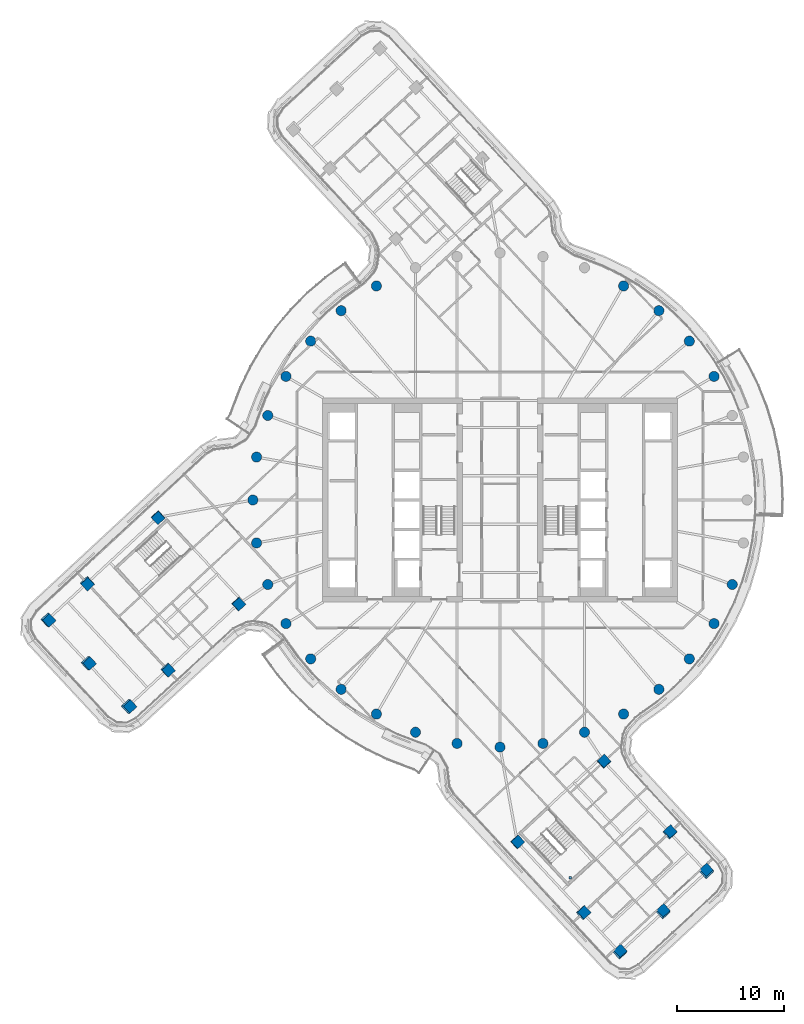
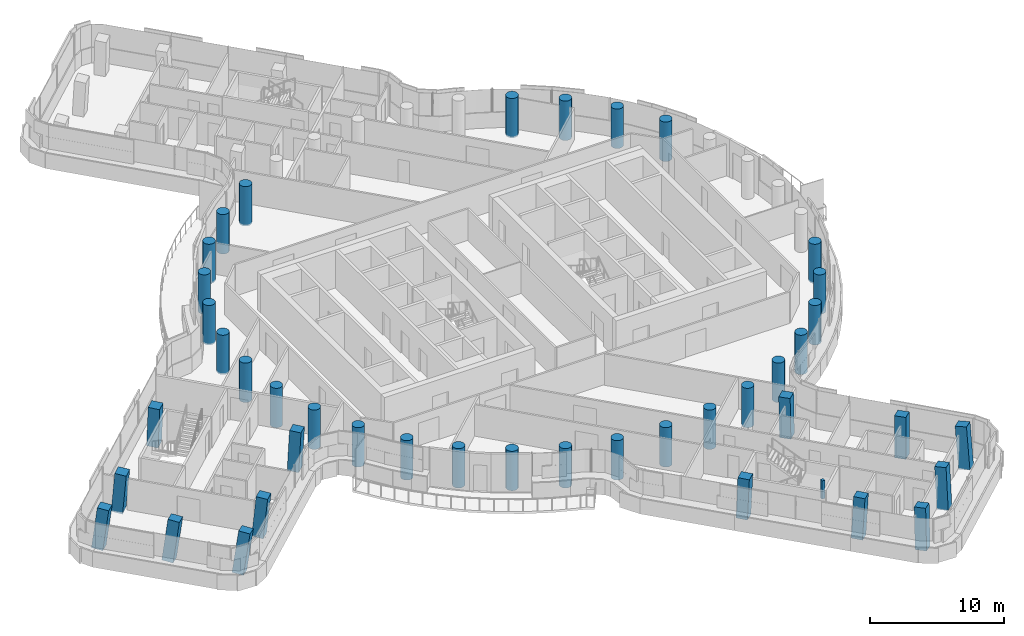
# One storey, part 1 of 34: 42 columns.
"""IFC4 building model written with IfcOpenShell, lengths in metres."""

from ifc_helpers import new_model, si_unit, direction, frame, origin, origin_2d, place, context, subcontext, project, spatial, rectangle, circle, extrude, material, material_profile, profile_set, type_object, element, save


model = new_model("IFC4")

# Units and contexts
model_context = context("Model", 3, precision=1e-05, world=origin(), true_north=direction((0.0, 1.0)))
body_context = subcontext(model_context, "Body", "Model", "MODEL_VIEW")
ifc_project = project(units=[si_unit("LENGTHUNIT", "METRE"), si_unit("AREAUNIT", "SQUARE_METRE"), si_unit("VOLUMEUNIT", "CUBIC_METRE"), si_unit("PLANEANGLEUNIT", "RADIAN"), si_unit("MASSUNIT", "GRAM", prefix="KILO")], contexts=[model_context])

# Site, building, storey
site_placement = place(None, origin())
site = spatial("IfcSite", under=ifc_project, at=site_placement, CompositionType="ELEMENT")
building_placement = place(site_placement, origin())
building = spatial("IfcBuilding", under=site, at=building_placement, Name="Tamarind Cross Interchange Tower", CompositionType="ELEMENT")
storey_placement = place(building_placement, frame((0.0, 0.0, 189.699951171875)))
storey = spatial("IfcBuildingStorey", under=building, at=storey_placement, Name="L47", CompositionType="ELEMENT", Elevation=189.699951171875)

# Columns
ifc_material_1 = material(Name="Concrete C40", Category="concrete")
ifc_material_profile_1 = material_profile(ifc_material_1, rectangle(XDim=0.25, YDim=0.25, at=origin_2d()), Name="RC 250x250")
ifc_profile_set_1 = profile_set([ifc_material_profile_1], Name="Concrete C40")
column_type_1 = type_object("IfcColumnType", Name="Column RC 250x250 Concrete C40", PredefinedType="COLUMN", material=ifc_profile_set_1)
column_1_placement = place(storey_placement, frame((6.532958984375, -35.140869140625, 1.800048828125), z_axis=(0.0, 0.0, 1.0), x_axis=(1.0, 0.0, 0.0)))
element("IfcColumn", 1, at=column_1_placement, inside=storey, type_object=column_type_1, Name="Column ST6 landing L48", PredefinedType="COLUMN", context=body_context, shape_type="SweptSolid", body=[
    extrude(rectangle(XDim=0.25, YDim=0.25, at=origin_2d()), origin(), (0.0, 0.0, 1.0), 1.659912109375),
])
ifc_material_2 = material(Name="Concrete C55", Category="concrete")
ifc_material_profile_2 = material_profile(ifc_material_2, rectangle(XDim=0.89990234375, YDim=0.89990234375, at=origin_2d()), Name="RC 900x900")
ifc_profile_set_2 = profile_set([ifc_material_profile_2], Name="Concrete C55")
column_type_2 = type_object("IfcColumnType", Name="Column RC 900x900 Concrete C55", PredefinedType="COLUMN", material=ifc_profile_set_2)
for number, where, z_axis, x_axis, name in (
    (2, (-30.9462890625, -15.795654296875, -0.138427734375), (0.080093686559, -0.044406373054, 0.995797708074), (-0.676407826987, 0.7313686668, 0.087019106025), "Column L47-050"),
    (3, (-38.425537109375, -7.7294921875, -0.138427734375), (0.039742625495, -0.082526778452, 0.995796090852), (0.733931657358, 0.678688261027, 0.026954900712), "Column L47-051"),
):
    element("IfcColumn", number, at=place(storey_placement, frame(where, z_axis=z_axis, x_axis=x_axis)), inside=storey, type_object=column_type_2, Name=name, PredefinedType="COLUMN", context=body_context, shape_type="SweptSolid", body=[
        extrude(rectangle(XDim=0.89990234375, YDim=0.89990234375, at=origin_2d()), origin(), (0.0, 0.0, 1.0), 3.612060546875),
    ])
for number, where, z_axis, x_axis, name in (
    (4, (-24.3466796875, -9.676513671875, -0.138671875), (0.049004711131, -0.011386986819, 0.99873363557), (-0.679260584893, 0.732712476675, 0.041683142108), "Column L47-052"),
    (5, (-31.825927734375, -1.610107421875, -0.138671875), (0.008607971058, -0.049682226655, 0.998727980578), (0.733402282812, 0.679239723409, 0.027467976067), "Column L47-053"),
):
    element("IfcColumn", number, at=place(storey_placement, frame(where, z_axis=z_axis, x_axis=x_axis)), inside=storey, type_object=column_type_2, Name=name, PredefinedType="COLUMN", context=body_context, shape_type="SweptSolid", body=[
        extrude(rectangle(XDim=0.89990234375, YDim=0.89990234375, at=origin_2d()), origin(), (0.0, 0.0, 1.0), 3.60205078125),
    ])
column_2_placement = place(storey_placement, frame((-42.10498046875, -11.1416015625, -0.135009765625), z_axis=(0.115301680671, -0.044434975183, 0.992336160489), x_axis=(-0.673317962303, 0.730978413032, 0.110966126909)))
element("IfcColumn", 6, at=column_2_placement, inside=storey, type_object=column_type_2, Name="Column L47-054", PredefinedType="COLUMN", context=body_context, shape_type="SweptSolid", body=[
    extrude(rectangle(XDim=0.89990234375, YDim=0.89990234375, at=origin_2d()), origin(), (0.0, 0.0, 1.0), 3.620849609375),
])
column_3_placement = place(storey_placement, frame((-38.365234375, -15.1748046875, -0.135009765625), z_axis=(0.135144788795, -0.02537329949, 0.990500924651), x_axis=(-0.672416470273, 0.731879298839, 0.110493359242)))
element("IfcColumn", 7, at=column_3_placement, inside=storey, type_object=column_type_2, Name="Column L47-055", PredefinedType="COLUMN", context=body_context, shape_type="SweptSolid", body=[
    extrude(rectangle(XDim=0.89990234375, YDim=0.89990234375, at=origin_2d()), origin(), (0.0, 0.0, 1.0), 3.62744140625),
])
column_4_placement = place(storey_placement, frame((-34.625732421875, -19.207763671875, -0.135009765625), z_axis=(0.154807880095, -0.006377601305, 0.987924008445), x_axis=(-0.671516705033, 0.732785575184, 0.109957335652)))
element("IfcColumn", 8, at=column_4_placement, inside=storey, type_object=column_type_2, Name="Column L47-056", PredefinedType="COLUMN", context=body_context, shape_type="SweptSolid", body=[
    extrude(rectangle(XDim=0.89990234375, YDim=0.89990234375, at=origin_2d()), origin(), (0.0, 0.0, 1.0), 3.63671875),
])
for number, where, z_axis, x_axis, name in (
    (9, (15.795654296875, -30.9462890625, -0.138427734375), (0.044406373054, 0.080093686559, 0.995797708074), (-0.7313686668, -0.676407826987, 0.087019106025), "Column L47-057"),
    (10, (7.7294921875, -38.425537109375, -0.138427734375), (0.082526778452, 0.039742625495, 0.995796090852), (-0.678688261027, 0.733931657358, 0.026954900712), "Column L47-058"),
):
    element("IfcColumn", number, at=place(storey_placement, frame(where, z_axis=z_axis, x_axis=x_axis)), inside=storey, type_object=column_type_2, Name=name, PredefinedType="COLUMN", context=body_context, shape_type="SweptSolid", body=[
        extrude(rectangle(XDim=0.89990234375, YDim=0.89990234375, at=origin_2d()), origin(), (0.0, 0.0, 1.0), 3.612060546875),
    ])
for number, where, z_axis, x_axis, name in (
    (11, (9.676513671875, -24.3466796875, -0.138671875), (0.011386986819, 0.049004711131, 0.99873363557), (-0.732712476675, -0.679260584893, 0.041683142108), "Column L47-059"),
    (12, (1.610107421875, -31.825927734375, -0.138671875), (0.049682226655, 0.008607971058, 0.998727980578), (-0.679239723409, 0.733402282812, 0.027467976067), "Column L47-060"),
):
    element("IfcColumn", number, at=place(storey_placement, frame(where, z_axis=z_axis, x_axis=x_axis)), inside=storey, type_object=column_type_2, Name=name, PredefinedType="COLUMN", context=body_context, shape_type="SweptSolid", body=[
        extrude(rectangle(XDim=0.89990234375, YDim=0.89990234375, at=origin_2d()), origin(), (0.0, 0.0, 1.0), 3.60205078125),
    ])
column_5_placement = place(storey_placement, frame((11.1416015625, -42.10498046875, -0.135009765625), z_axis=(0.044434975183, 0.115301680671, 0.992336160489), x_axis=(-0.730978413032, -0.673317962303, 0.110966126909)))
element("IfcColumn", 13, at=column_5_placement, inside=storey, type_object=column_type_2, Name="Column L47-061", PredefinedType="COLUMN", context=body_context, shape_type="SweptSolid", body=[
    extrude(rectangle(XDim=0.89990234375, YDim=0.89990234375, at=origin_2d()), origin(), (0.0, 0.0, 1.0), 3.620849609375),
])
column_6_placement = place(storey_placement, frame((15.1748046875, -38.365234375, -0.135009765625), z_axis=(0.02537329949, 0.135144788795, 0.990500924651), x_axis=(-0.731879298839, -0.672416470273, 0.110493359242)))
element("IfcColumn", 14, at=column_6_placement, inside=storey, type_object=column_type_2, Name="Column L47-062", PredefinedType="COLUMN", context=body_context, shape_type="SweptSolid", body=[
    extrude(rectangle(XDim=0.89990234375, YDim=0.89990234375, at=origin_2d()), origin(), (0.0, 0.0, 1.0), 3.62744140625),
])
column_7_placement = place(storey_placement, frame((19.207763671875, -34.625732421875, -0.135009765625), z_axis=(0.006377601305, 0.154807880095, 0.987924008445), x_axis=(-0.732785575184, -0.671516705033, 0.109957335652)))
element("IfcColumn", 15, at=column_7_placement, inside=storey, type_object=column_type_2, Name="Column L47-063", PredefinedType="COLUMN", context=body_context, shape_type="SweptSolid", body=[
    extrude(rectangle(XDim=0.89990234375, YDim=0.89990234375, at=origin_2d()), origin(), (0.0, 0.0, 1.0), 3.63671875),
])
ifc_material_profile_3 = material_profile(ifc_material_2, circle(Radius=0.47509765625, at=origin_2d()), Name="RC D950")
ifc_profile_set_3 = profile_set([ifc_material_profile_3], Name="Concrete C55")
column_type_3 = type_object("IfcColumnType", Name="Column RC D950 Concrete C55", PredefinedType="COLUMN", material=ifc_profile_set_3)
for number, where, z_axis, x_axis, name in (
    (16, (19.918701171875, 11.5, -0.139892578125), (0.0, 0.0, 1.0), (1.0, 0.0, 0.0), "Column L47-003"),
    (17, (17.619140625, 14.7841796875, -0.139892578125), (0.0, 0.0, 1.0), (1.0, 0.0, 0.0), "Column L47-004"),
    (18, (14.7841796875, 17.619140625, -0.139892578125), (0.0, 0.0, 1.0), (1.0, 0.0, 0.0), "Column L47-005"),
    (19, (11.5, 19.918701171875, -0.139892578125), (0.0, 0.0, 1.0), (1.0, 0.0, 0.0), "Column L47-006"),
    (20, (-11.5, 19.918701171875, -0.139892578125), (0.0, 0.0, 1.0), (1.0, 0.0, 0.0), "Column L47-012"),
    (21, (-14.7841796875, 17.619140625, -0.139892578125), (0.0, 0.0, 1.0), (1.0, 0.0, 0.0), "Column L47-013"),
    (22, (-17.619140625, 14.7841796875, -0.139892578125), (0.0, 0.0, 1.0), (1.0, 0.0, 0.0), "Column L47-014"),
    (23, (-19.918701171875, 11.5, -0.139892578125), (0.0, 0.0, 1.0), (1.0, 0.0, 0.0), "Column L47-015"),
    (24, (-21.613037109375, 7.866455078125, -0.139892578125), (0.0, 0.0, 1.0), (1.0, 0.0, 0.0), "Column L47-016"),
    (25, (-22.650634765625, 3.993896484375, -0.139892578125), (0.0, 0.0, 1.0), (1.0, 0.0, 0.0), "Column L47-017"),
    (26, (-23.0, 0.0, -0.139892578125), (0.0, 0.0, 1.0), (1.0, 0.0, 0.0), "Column L47-018"),
    (27, (-22.650634765625, -3.993896484375, -0.139892578125), (0.0, 0.0, 1.0), (1.0, 0.0, 0.0), "Column L47-019"),
    (28, (-21.613037109375, -7.866455078125, -0.139892578125), (0.0, 0.0, 1.0), (1.0, 0.0, 0.0), "Column L47-020"),
    (29, (-19.918701171875, -11.5, -0.139892578125), (0.0, 0.0, 1.0), (1.0, 0.0, 0.0), "Column L47-021"),
    (30, (-17.619140625, -14.7841796875, -0.139892578125), (0.0, 0.0, 1.0), (1.0, 0.0, 0.0), "Column L47-022"),
    (31, (-14.7841796875, -17.619140625, -0.139892578125), (0.0, 0.0, 1.0), (1.0, 0.0, 0.0), "Column L47-023"),
    (32, (-11.5, -19.918701171875, -0.139892578125), (0.0, 0.0, 1.0), (1.0, 0.0, 0.0), "Column L47-024"),
    (33, (-7.866455078125, -21.613037109375, -0.139892578125), (0.0, 0.0, 1.0), (1.0, 0.0, 0.0), "Column L47-025"),
    (34, (-3.993896484375, -22.650634765625, -0.139892578125), (0.0, 0.0, 1.0), (1.0, 0.0, 0.0), "Column L47-026"),
    (35, (0.0, -23.0, -0.139892578125), (0.0, 0.0, 1.0), (1.0, 0.0, 0.0), "Column L47-027"),
    (36, (3.993896484375, -22.650634765625, -0.139892578125), (0.0, 0.0, 1.0), (1.0, 0.0, 0.0), "Column L47-028"),
    (37, (7.866455078125, -21.613037109375, -0.139892578125), (0.0, 0.0, 1.0), (1.0, 0.0, 0.0), "Column L47-029"),
    (38, (11.5, -19.918701171875, -0.139892578125), (0.0, 0.0, 1.0), (1.0, 0.0, 0.0), "Column L47-030"),
    (39, (14.7841796875, -17.619140625, -0.139892578125), (0.0, 0.0, 1.0), (1.0, 0.0, 0.0), "Column L47-031"),
    (40, (17.619140625, -14.7841796875, -0.139892578125), (0.0, 0.0, 1.0), (1.0, 0.0, 0.0), "Column L47-032"),
    (41, (19.918701171875, -11.5, -0.139892578125), (0.0, 0.0, 1.0), (1.0, 0.0, 0.0), "Column L47-033"),
    (42, (21.613037109375, -7.866455078125, -0.139892578125), (0.0, 0.0, 1.0), (1.0, 0.0, 0.0), "Column L47-034"),
):
    element("IfcColumn", number, at=place(storey_placement, frame(where, z_axis=z_axis, x_axis=x_axis)), inside=storey, type_object=column_type_3, Name=name, PredefinedType="COLUMN", context=body_context, shape_type="SweptSolid", body=[
        extrude(circle(Radius=0.47509765625, at=origin_2d()), origin(), (0.0, 0.0, 1.0), 3.599853515625),
    ])

save(model, "model.ifc")
